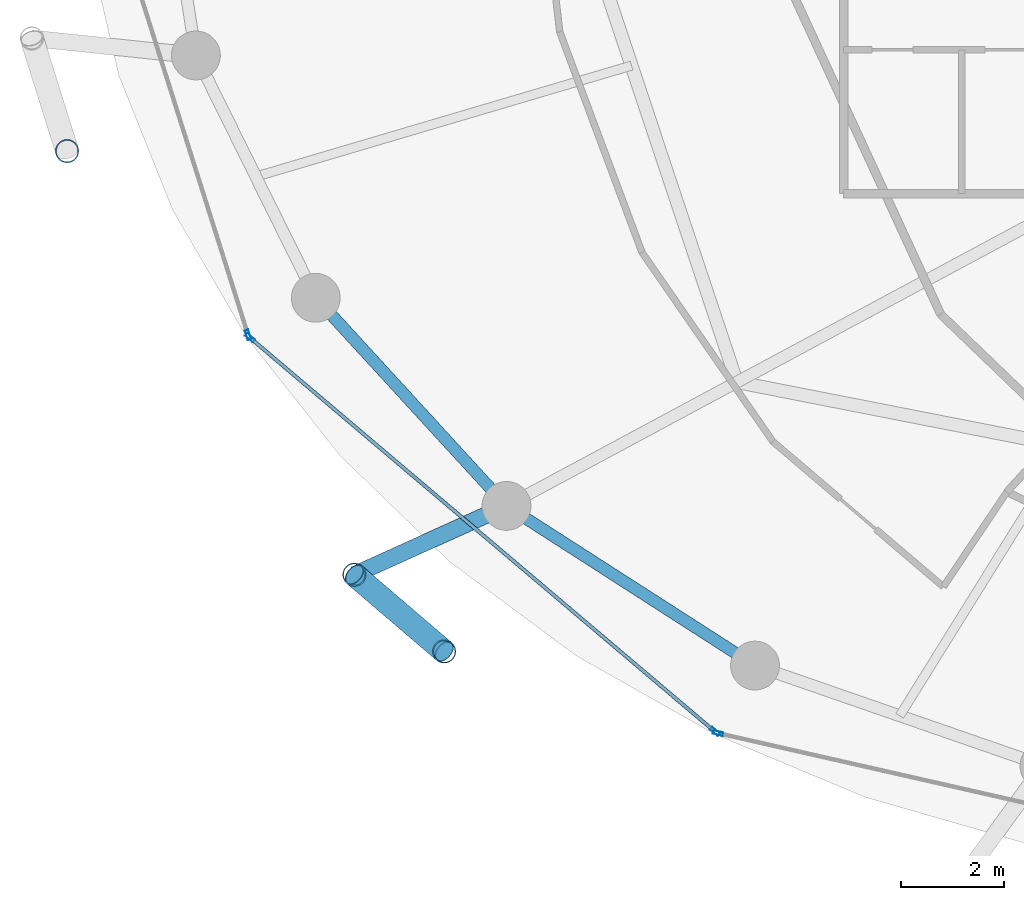
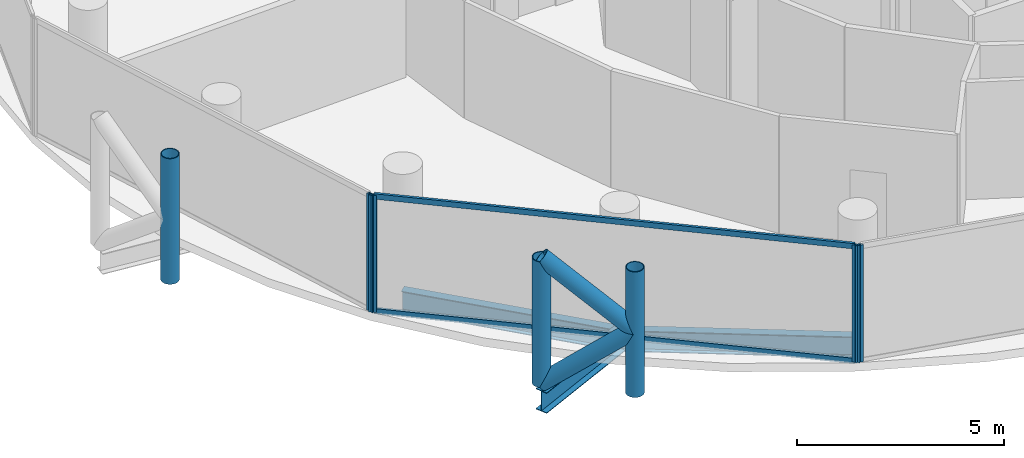
# One storey, part 2 of 26: 11 members, 3 beams, 3 elements without a shape of their own.
"""IFC4 building model written with IfcOpenShell, lengths in metres."""

import ifcopenshell
import ifcopenshell.guid

model = None  # the IFC model being written
_history = None  # IfcOwnerHistory: only IFC2X3 demands one
_inside = {}  # id of a spatial element -> (the spatial element, [elements in it])
_under = {}  # id of a project, library or spatial element -> (it, [spatial elements below it])
_declared = {}  # id of a project -> (the project, [libraries it declares])
_typed = {}  # id of a type object -> (the type object, [elements of that type])
_made_of = {}  # id of a material, layer set ... -> (it, [elements and type objects made of it])


def new_model(schema):
    """Start an empty IFC model of exactly this schema.

    Asked for "IFC4X3", IfcOpenShell would pick the latest addendum, in which some entities
    have other attributes; the version numbers below select the first issue.
    IFC2X3 requires an IfcOwnerHistory on every rooted entity: one is made here for all.
    """
    global model, _history
    if schema == "IFC4X3":
        model = ifcopenshell.file(schema_version=(4, 3, 0, 0))
    else:
        model = ifcopenshell.file(schema=schema)
    _inside.clear()
    _under.clear()
    _declared.clear()
    _typed.clear()
    _made_of.clear()
    _history = None
    if model.schema == "IFC2X3":
        org = make("IfcOrganization", Name="unknown")
        user = make(
            "IfcPersonAndOrganization",
            ThePerson=make("IfcPerson", FamilyName="unknown"),
            TheOrganization=org,
        )
        app = make(
            "IfcApplication",
            ApplicationDeveloper=org,
            Version="unknown",
            ApplicationFullName="unknown",
            ApplicationIdentifier="unknown",
        )
        _history = make(
            "IfcOwnerHistory",
            OwningUser=user,
            OwningApplication=app,
            ChangeAction="ADDED",
            CreationDate=0,
        )
    return model


def make(cls, **values):
    """One entity of the class cls with the attributes given. An attribute that is None is left unset."""
    return model.create_entity(
        cls, **{name: value for name, value in values.items() if value is not None}
    )


def rooted(cls, **values):
    """An entity with a GlobalId (a new one), such as an element, a storey or a relation."""
    return make(cls, GlobalId=ifcopenshell.guid.new(), OwnerHistory=_history, **values)


def si_unit(unit_type, name, prefix=None):
    """IfcSIUnit, for example si_unit("LENGTHUNIT", "METRE", prefix="MILLI")."""
    return make("IfcSIUnit", UnitType=unit_type, Prefix=prefix, Name=name)


def assignment(units):
    """IfcUnitAssignment: the units of a project."""
    return None if units is None else make("IfcUnitAssignment", Units=units)


def point(xyz):
    """IfcCartesianPoint."""
    return None if xyz is None else make("IfcCartesianPoint", Coordinates=xyz)


def direction(xyz):
    """IfcDirection."""
    return None if xyz is None else make("IfcDirection", DirectionRatios=xyz)


def frame(location, z_axis=None, x_axis=None):
    """IfcAxis2Placement3D, a coordinate frame: its origin and axes. An axis left out is left unset."""
    return make(
        "IfcAxis2Placement3D",
        Location=point(location),
        Axis=direction(z_axis),
        RefDirection=direction(x_axis),
    )


def frame_2d(location, x_axis=None):
    """IfcAxis2Placement2D, a coordinate frame in the plane: its origin and x axis."""
    return make(
        "IfcAxis2Placement2D", Location=point(location), RefDirection=direction(x_axis)
    )


def origin():
    """The frame at (0, 0, 0) with its axes left unset."""
    return frame((0.0, 0.0, 0.0))


def origin_2d():
    """The frame at (0, 0) in the plane with its x axis left unset."""
    return frame_2d((0.0, 0.0))


def place(relative_to, where):
    """IfcLocalPlacement: puts the frame where relative to a parent placement (None: the world)."""
    return make(
        "IfcLocalPlacement", PlacementRelTo=relative_to, RelativePlacement=where
    )


def context(
    kind, dimensions, precision=None, world=None, true_north=None, identifier=None
):
    """IfcGeometricRepresentationContext, for example the 3D "Model" context."""
    return make(
        "IfcGeometricRepresentationContext",
        ContextIdentifier=identifier,
        ContextType=kind,
        CoordinateSpaceDimension=dimensions,
        Precision=precision,
        WorldCoordinateSystem=world,
        TrueNorth=true_north,
    )


def subcontext(parent, identifier, kind, view, scale=None):
    """IfcGeometricRepresentationSubContext, for example "Body" below "Model"."""
    return make(
        "IfcGeometricRepresentationSubContext",
        ContextIdentifier=identifier,
        ContextType=kind,
        ParentContext=parent,
        TargetScale=scale,
        TargetView=view,
    )


def project(units=None, contexts=None):
    """IfcProject with its units and contexts."""
    return rooted(
        "IfcProject",
        Name="project",
        RepresentationContexts=contexts,
        UnitsInContext=assignment(units),
    )


def spatial(cls, under=None, at=None, **own):
    """A site, building, storey or space (cls), placed at a placement, below another one or the project."""
    s = rooted(cls, ObjectPlacement=at, **own)
    if under is not None:
        _under.setdefault(under.id(), (under, []))[1].append(s)
    return s


def profile(cls, at=None, kind="AREA", **sizes):
    """A parametric profile (cls). Its sizes go by their IFC names, for example OverallWidth=200.0."""
    return make(cls, ProfileType=kind, Position=at, **sizes)


def hollow_rectangle(**sizes):
    """IfcRectangleHollowProfileDef."""
    return profile("IfcRectangleHollowProfileDef", **sizes)


def hollow_circle(**sizes):
    """IfcCircleHollowProfileDef."""
    return profile("IfcCircleHollowProfileDef", **sizes)


def i_section(**sizes):
    """IfcIShapeProfileDef."""
    return profile("IfcIShapeProfileDef", **sizes)


def extrude(swept, where, along, depth):
    """IfcExtrudedAreaSolid: the profile swept, set in the frame where, extruded along a direction by depth."""
    return make(
        "IfcExtrudedAreaSolid",
        SweptArea=swept,
        Position=where,
        ExtrudedDirection=direction(along),
        Depth=depth,
    )


def shape(context_of_items, identifier, shape_type, items):
    """IfcShapeRepresentation: the items that make up one representation, for example the "Body"."""
    return make(
        "IfcShapeRepresentation",
        ContextOfItems=context_of_items,
        RepresentationIdentifier=identifier,
        RepresentationType=shape_type,
        Items=items,
    )


def material(Name=None, Category=None):
    """IfcMaterial."""
    return make("IfcMaterial", Name=Name, Category=Category)


def layer(
    of_material, thickness, ventilated=None, Name=None, Category=None, Priority=None
):
    """IfcMaterialLayer: one layer of a wall or slab, of a material (None: an air gap)."""
    return make(
        "IfcMaterialLayer",
        Material=of_material,
        LayerThickness=thickness,
        IsVentilated=ventilated,
        Name=Name,
        Category=Category,
        Priority=Priority,
    )


def layer_set(layers, Name=None):
    """IfcMaterialLayerSet."""
    return make("IfcMaterialLayerSet", MaterialLayers=layers, LayerSetName=Name)


def material_profile(
    of_material, cross_section, Name=None, Category=None, Priority=None
):
    """IfcMaterialProfile: a cross section and its material."""
    return make(
        "IfcMaterialProfile",
        Name=Name,
        Material=of_material,
        Profile=cross_section,
        Priority=Priority,
        Category=Category,
    )


def profile_set(profiles, Name=None, composite=None):
    """IfcMaterialProfileSet."""
    return make(
        "IfcMaterialProfileSet",
        Name=Name,
        MaterialProfiles=profiles,
        CompositeProfile=composite,
    )


def made_of(thing, what):
    """Note that an element or type object is made of a material, layer set ...; save() writes the relation."""
    if what is not None:
        _made_of.setdefault(what.id(), (what, []))[1].append(thing)
    return thing


def type_object(cls, material=None, **own):
    """A type object (cls), such as IfcWallType, which elements share."""
    return made_of(rooted(cls, **own), material)


def element(
    cls,
    number,
    at=None,
    inside=None,
    cuts=None,
    type_object=None,
    material=None,
    context=None,
    identifier="Body",
    shape_type=None,
    held_by="IfcProductDefinitionShape",
    body=None,
    shapes=None,
    **own,
):
    """One element of the class cls, such as IfcWall. Its Tag is "e" and its number.

    at: its placement. inside: the storey or other place that contains it. cuts: it is an
    opening in that element (IfcRelVoidsElement). A single representation is given by context,
    identifier, shape_type and body (its items); several are given by shapes. held_by: the class
    of the entity that holds the representations. save() writes the other relations.
    """
    e = rooted(cls, Tag="e%d" % number, ObjectPlacement=at, **own)
    if body is not None:
        shapes = [shape(context, identifier, shape_type, body)]
    if shapes is not None:
        e.Representation = make(held_by, Representations=shapes)
    if inside is not None:
        _inside.setdefault(inside.id(), (inside, []))[1].append(e)
    if cuts is not None:
        rooted(
            "IfcRelVoidsElement", RelatingBuildingElement=cuts, RelatedOpeningElement=e
        )
    if type_object is not None:
        _typed.setdefault(type_object.id(), (type_object, []))[1].append(e)
    return made_of(e, material)


def aggregate(whole, parts):
    """IfcRelAggregates: a whole, such as a stair, and the parts it consists of."""
    return rooted("IfcRelAggregates", RelatingObject=whole, RelatedObjects=parts)


def save(model, path):
    """Write the relations noted so far, then the file.

    IfcRelAggregates (storeys below a building ...), IfcRelContainedInSpatialStructure (elements
    in a storey), IfcRelDefinesByType, IfcRelAssociatesMaterial and IfcRelDeclares: one each for
    every whole, place, type object, material and project.
    """
    for whole, parts in _under.values():
        aggregate(whole, parts)
    for where, things in _inside.values():
        rooted(
            "IfcRelContainedInSpatialStructure",
            RelatedElements=things,
            RelatingStructure=where,
        )
    for kind, things in _typed.values():
        rooted("IfcRelDefinesByType", RelatedObjects=things, RelatingType=kind)
    for what, things in _made_of.values():
        rooted("IfcRelAssociatesMaterial", RelatedObjects=things, RelatingMaterial=what)
    for by, libraries in _declared.values():
        rooted("IfcRelDeclares", RelatingContext=by, RelatedDefinitions=libraries)
    model.write(path)


model = new_model("IFC4")

# Units and contexts
model_context = context("Model", 3, precision=1e-05, world=origin(), true_north=direction((0.0, 1.0)))
body_context = subcontext(model_context, "Body", "Model", "MODEL_VIEW")
ifc_project = project(units=[si_unit("LENGTHUNIT", "METRE"), si_unit("AREAUNIT", "SQUARE_METRE"), si_unit("VOLUMEUNIT", "CUBIC_METRE"), si_unit("PLANEANGLEUNIT", "RADIAN"), si_unit("MASSUNIT", "GRAM", prefix="KILO")], contexts=[model_context])

# Site, building, storey
site_placement = place(None, origin())
site = spatial("IfcSite", under=ifc_project, at=site_placement, CompositionType="ELEMENT")
building_placement = place(site_placement, origin())
building = spatial("IfcBuilding", under=site, at=building_placement, Name="Nuhasar Tower", CompositionType="ELEMENT")
storey_placement = place(building_placement, frame((0.0, 0.0, 136.75)))
storey = spatial("IfcBuildingStorey", under=building, at=storey_placement, Name="L32", CompositionType="ELEMENT", Elevation=136.75)

# Beams
ifc_material_1 = material(Name="Steel S355", Category="steel")
ifc_material_profile_1 = material_profile(ifc_material_1, i_section(OverallWidth=0.22998046875, OverallDepth=0.616943359375, WebThickness=0.01318359375, FlangeThickness=0.022216796875, at=origin_2d()), Name="W24X94")
ifc_profile_set_1 = profile_set([ifc_material_profile_1], Name="Steel S355")
beam_type_1 = type_object("IfcBeamType", Name="BM-RING-W24X94", PredefinedType="SPANDREL", material=ifc_profile_set_1)
beam_1_placement = place(storey_placement, frame((18.778076171875, 17.02490234375, -0.55908203125), z_axis=(0.675676316545, -0.737198423262, 0.0), x_axis=(0.737198423262, 0.675676316545, 0.0)))
element("IfcBeam", 1, at=beam_1_placement, inside=storey, type_object=beam_type_1, Name="L32 Perimeter Ring Spandrel 15", PredefinedType="SPANDREL", context=body_context, shape_type="SweptSolid", body=[
    extrude(i_section(OverallWidth=0.22998046875, OverallDepth=0.616943359375, WebThickness=0.01318359375, FlangeThickness=0.022216796875, at=origin_2d()), origin(), (0.0, 0.0, 1.0), 5.4921875),
])
beam_2_placement = place(storey_placement, frame((22.489013671875, 12.97607421875, -0.55908203125), z_axis=(0.841308170616, -0.540555789955, 0.0), x_axis=(0.540555789955, 0.841308170616, 0.0)))
element("IfcBeam", 2, at=beam_2_placement, inside=storey, type_object=beam_type_1, Name="L32 Perimeter Ring Spandrel 16", PredefinedType="SPANDREL", context=body_context, shape_type="SweptSolid", body=[
    extrude(i_section(OverallWidth=0.22998046875, OverallDepth=0.616943359375, WebThickness=0.01318359375, FlangeThickness=0.022216796875, at=origin_2d()), origin(), (0.0, 0.0, 1.0), 5.748046875),
])
ifc_material_profile_2 = material_profile(ifc_material_1, i_section(OverallWidth=0.323974609375, OverallDepth=0.611083984375, WebThickness=0.0126953125, FlangeThickness=0.01904296875, at=origin_2d()), Name="W24X104")
ifc_profile_set_2 = profile_set([ifc_material_profile_2], Name="Steel S355")
beam_type_2 = type_object("IfcBeamType", Name="BM-TIE-W24X104", PredefinedType="BEAM", material=ifc_profile_set_2)
beam_3_placement = place(storey_placement, frame((22.489013671875, 12.97607421875, -0.554931640625), z_axis=(-0.911211381786, -0.411939094653, 0.0), x_axis=(0.411939094653, -0.911211381786, 0.0)))
element("IfcBeam", 3, at=beam_3_placement, inside=storey, type_object=beam_type_2, Name="L32 Exoskeleton Node Tie Beam 08", PredefinedType="BEAM", context=body_context, shape_type="SweptSolid", body=[
    extrude(i_section(OverallWidth=0.323974609375, OverallDepth=0.611083984375, WebThickness=0.0126953125, FlangeThickness=0.01904296875, at=origin_2d()), origin(), (0.0, 0.0, 1.0), 3.248291015625),
])

# Curtain wall, member
ifc_material_2 = material(Name="Aluminium 6063-T6", Category="aluminium")
ifc_layer = layer(ifc_material_2, 0.199951171875)
ifc_layer_set = layer_set([ifc_layer], Name="Aluminium 6063-T6")
curtain_wall_type = type_object("IfcCurtainWallType", Name="CW-Z2-HTL", PredefinedType="NOTDEFINED", material=ifc_layer_set)
curtain_wall_1_placement = place(storey_placement, origin())
curtain_wall_1 = element("IfcCurtainWall", 4, at=curtain_wall_1_placement, inside=storey, type_object=curtain_wall_type, Name="L32 Unitised Curtain Wall 07", PredefinedType="NOTDEFINED")
ifc_material_profile_3 = material_profile(ifc_material_2, hollow_rectangle(XDim=0.070068359375, YDim=0.199951171875, WallThickness=0.0048828125, at=origin_2d()), Name="CWM-3")
ifc_profile_set_3 = profile_set([ifc_material_profile_3], Name="Aluminium 6063-T6")
member_type_1 = type_object("IfcMemberType", Name="CW-MUL-S3", PredefinedType="MULLION", material=ifc_profile_set_3)
member_1_placement = place(storey_placement, frame((17.46044921875, 16.303466796875, 0.0), z_axis=(0.0, 0.0, 1.0), x_axis=(0.953433389233, 0.301603667577, 0.0)))
member_1 = element("IfcMember", 5, at=member_1_placement, type_object=member_type_1, Name="CW-Z2 mullion 2", PredefinedType="MULLION", context=body_context, shape_type="SweptSolid", body=[
    extrude(hollow_rectangle(XDim=0.070068359375, YDim=0.199951171875, WallThickness=0.0048828125, at=origin_2d()), origin(), (0.0, 0.0, 1.0), 3.449951171875),
])
aggregate(curtain_wall_1, [member_1])

# Curtain wall, members
curtain_wall_2_placement = place(storey_placement, origin())
curtain_wall_2 = element("IfcCurtainWall", 6, at=curtain_wall_2_placement, inside=storey, type_object=curtain_wall_type, Name="L32 Unitised Curtain Wall 08", PredefinedType="NOTDEFINED")
member_2_placement = place(storey_placement, frame((17.497802734375, 16.247314453125, 0.0), z_axis=(0.0, 0.0, 1.0), x_axis=(0.646374438324, 0.763020370292, 0.0)))
member_2 = element("IfcMember", 7, at=member_2_placement, type_object=member_type_1, Name="CW-Z2 mullion 1", PredefinedType="MULLION", context=body_context, shape_type="SweptSolid", body=[
    extrude(hollow_rectangle(XDim=0.070068359375, YDim=0.199951171875, WallThickness=0.0048828125, at=origin_2d()), origin(), (0.0, 0.0, 1.0), 3.449951171875),
])
member_3_placement = place(storey_placement, frame((26.543212890625, 8.584716796875, 0.0), z_axis=(0.0, 0.0, 1.0), x_axis=(0.646374438324, 0.763020370292, 0.0)))
member_3 = element("IfcMember", 8, at=member_3_placement, type_object=member_type_1, Name="CW-Z2 mullion 2", PredefinedType="MULLION", context=body_context, shape_type="SweptSolid", body=[
    extrude(hollow_rectangle(XDim=0.070068359375, YDim=0.199951171875, WallThickness=0.0048828125, at=origin_2d()), origin(), (0.0, 0.0, 1.0), 3.449951171875),
])

# Curtain wall, member
curtain_wall_3_placement = place(storey_placement, origin())
curtain_wall_3 = element("IfcCurtainWall", 9, at=curtain_wall_3_placement, inside=storey, type_object=curtain_wall_type, Name="L32 Unitised Curtain Wall 09", PredefinedType="NOTDEFINED")
member_4_placement = place(storey_placement, frame((26.604248046875, 8.55419921875, 0.0), z_axis=(0.0, 0.0, 1.0), x_axis=(0.22139729566, 0.975183694221, 0.0)))
member_4 = element("IfcMember", 10, at=member_4_placement, type_object=member_type_1, Name="CW-Z2 mullion 1", PredefinedType="MULLION", context=body_context, shape_type="SweptSolid", body=[
    extrude(hollow_rectangle(XDim=0.070068359375, YDim=0.199951171875, WallThickness=0.0048828125, at=origin_2d()), origin(), (0.0, 0.0, 1.0), 3.449951171875),
])
aggregate(curtain_wall_3, [member_4])

# Member
ifc_material_profile_4 = material_profile(ifc_material_2, hollow_rectangle(XDim=0.070068359375, YDim=0.159912109375, WallThickness=0.00439453125, at=origin_2d()), Name="CWT-3")
ifc_profile_set_4 = profile_set([ifc_material_profile_4], Name="Aluminium 6063-T6")
member_type_2 = type_object("IfcMemberType", Name="CW-TRN-S3", PredefinedType="USERDEFINED", material=ifc_profile_set_4)
member_5_placement = place(storey_placement, frame((17.5244140625, 16.224853515625, 0.034912109375), z_axis=(0.763013698099, -0.646382314511, 0.0), x_axis=(0.646382314511, 0.763013698099, 0.0)))
member_5 = element("IfcMember", 11, at=member_5_placement, type_object=member_type_2, Name="CW-Z2 transom 1.1", ObjectType="TRANSOM", PredefinedType="USERDEFINED", context=body_context, shape_type="SweptSolid", body=[
    extrude(hollow_rectangle(XDim=0.070068359375, YDim=0.159912109375, WallThickness=0.00439453125, at=origin_2d()), origin(), (0.0, 0.0, 1.0), 11.78515625),
])

member_6_placement = place(storey_placement, frame((17.5244140625, 16.224853515625, 3.4150390625), z_axis=(0.763013698099, -0.646382314511, 0.0), x_axis=(0.646382314511, 0.763013698099, 0.0)))
member_6 = element("IfcMember", 12, at=member_6_placement, type_object=member_type_2, Name="CW-Z2 transom 1.2", ObjectType="TRANSOM", PredefinedType="USERDEFINED", context=body_context, shape_type="SweptSolid", body=[
    extrude(hollow_rectangle(XDim=0.070068359375, YDim=0.159912109375, WallThickness=0.00439453125, at=origin_2d()), origin(), (0.0, 0.0, 1.0), 11.78515625),
])

aggregate(curtain_wall_2, [member_2, member_3, member_5, member_6])

# Members
ifc_material_3 = material(Name="Steel S460", Category="steel")
ifc_material_profile_5 = material_profile(ifc_material_3, hollow_circle(Radius=0.228515625, WallThickness=0.022216796875, at=origin_2d()), Name="HSS457X22.2")
ifc_profile_set_5 = profile_set([ifc_material_profile_5], Name="Steel S460")
member_type_3 = type_object("IfcMemberType", Name="EXO-BRONZE-457", PredefinedType="BRACE", material=ifc_profile_set_5)
for number, where, z_axis, x_axis, name in (
    (13, (13.93994140625, 19.87890625, 0.0), (0.0, 0.0, 1.0), (1.0, 0.0, 0.0), "L32 Exoskeleton Chord Column EC-07B"),
    (14, (19.529052734375, 11.637939453125, 0.0), (0.0, 0.0, 1.0), (1.0, 0.0, 0.0), "L32 Exoskeleton Chord Column EC-08A"),
    (15, (21.277099609375, 10.14306640625, 0.0), (0.0, 0.0, 1.0), (1.0, 0.0, 0.0), "L32 Exoskeleton Chord Column EC-08B"),
):
    element("IfcMember", number, at=place(storey_placement, frame(where, z_axis=z_axis, x_axis=x_axis)), inside=storey, type_object=member_type_3, Name=name, PredefinedType="BRACE", context=body_context, shape_type="SweptSolid", body=[
        extrude(hollow_circle(Radius=0.228515625, WallThickness=0.022216796875, at=origin_2d()), origin(), (0.0, 0.0, 1.0), 3.699951171875),
    ])
member_7_placement = place(storey_placement, frame((19.529052734375, 11.637939453125, 0.0), z_axis=(0.592195175458, -0.506426125604, 0.626767463634), x_axis=(0.649925557156, 0.7599978751, 0.0)))
element("IfcMember", 16, at=member_7_placement, inside=storey, type_object=member_type_3, Name="L32 Bronze Diagrid Brace W1-08", PredefinedType="BRACE", context=body_context, shape_type="SweptSolid", body=[
    extrude(hollow_circle(Radius=0.228515625, WallThickness=0.022216796875, at=origin_2d()), origin(), (0.0, 0.0, 1.0), 2.951904296875),
])
member_8_placement = place(storey_placement, frame((21.277099609375, 10.14306640625, 1.85009765625), z_axis=(-0.592225874743, 0.506452378638, 0.626717242029), x_axis=(-0.649925557156, -0.7599978751, 0.0)))
element("IfcMember", 17, at=member_8_placement, inside=storey, type_object=member_type_3, Name="L32 Bronze Diagrid Brace W2-08", PredefinedType="BRACE", context=body_context, shape_type="SweptSolid", body=[
    extrude(hollow_circle(Radius=0.228515625, WallThickness=0.022216796875, at=origin_2d()), origin(), (0.0, 0.0, 1.0), 2.95166015625),
])

save(model, "model.ifc")
